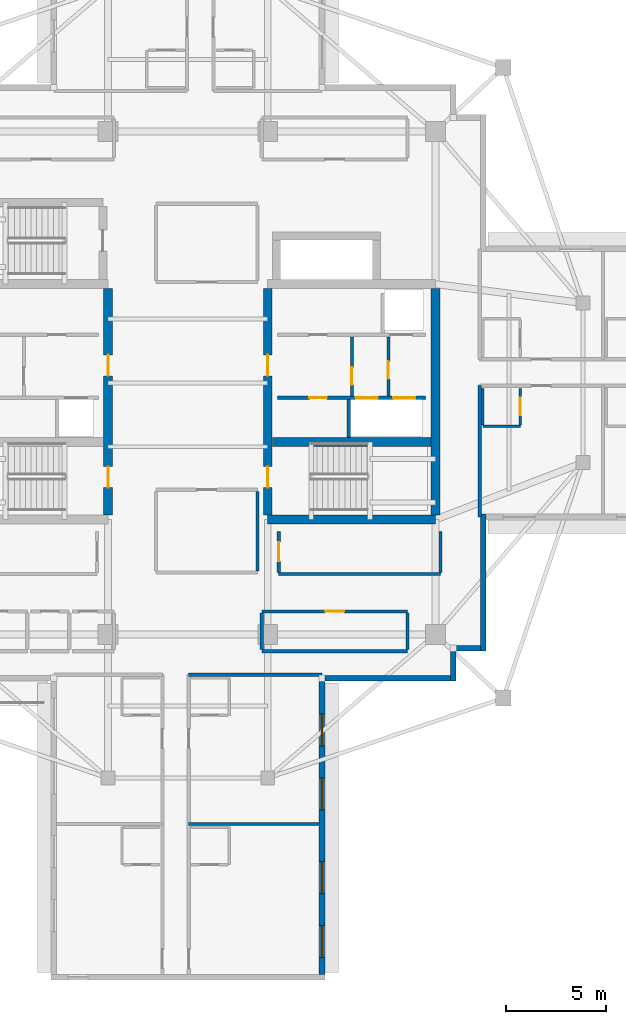
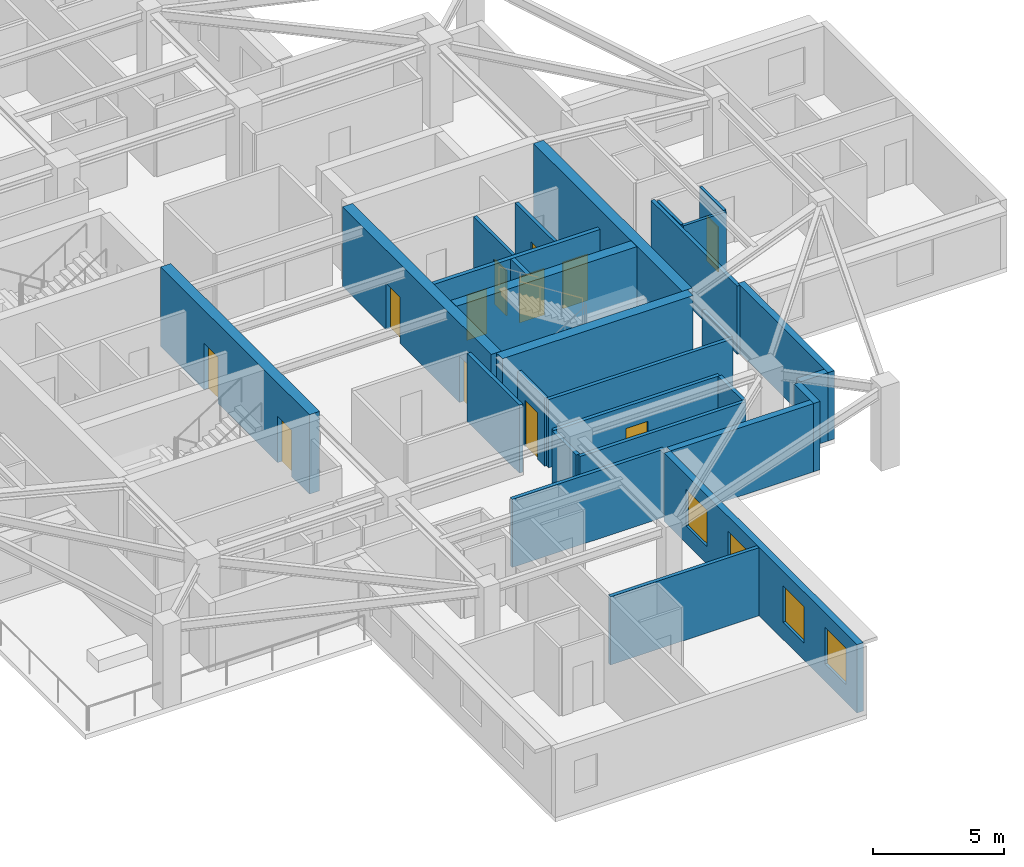
# One storey, part 5 of 12: 28 walls, 12 doors, 4 windows, 16 openings.
"""IFC4 building model written with IfcOpenShell, lengths in metres."""

from ifc_helpers import new_model, si_unit, direction, frame, frame_2d, origin, place, context, subcontext, project, spatial, rectangle, extrude, material, layer, layer_set, type_object, element, fill, save


model = new_model("IFC4")

# Units and contexts
model_context = context("Model", 3, precision=1e-05, world=origin(), true_north=direction((0.0, 1.0)))
body_context = subcontext(model_context, "Body", "Model", "MODEL_VIEW")
ifc_project = project(units=[si_unit("LENGTHUNIT", "METRE"), si_unit("AREAUNIT", "SQUARE_METRE"), si_unit("VOLUMEUNIT", "CUBIC_METRE"), si_unit("PLANEANGLEUNIT", "RADIAN"), si_unit("MASSUNIT", "GRAM", prefix="KILO")], contexts=[model_context])

# Site, building, storey
site_placement = place(None, origin())
site = spatial("IfcSite", under=ifc_project, at=site_placement, CompositionType="ELEMENT")
building_placement = place(site_placement, origin())
building = spatial("IfcBuilding", under=site, at=building_placement, Name="Qingluan Cross Belvedere", CompositionType="ELEMENT")
storey_placement = place(building_placement, frame((0.0, 0.0, 265.5)))
storey = spatial("IfcBuildingStorey", under=building, at=storey_placement, Name="L66", CompositionType="ELEMENT", Elevation=265.5)

# Wall, openings, doors
ifc_material_1 = material(Name="Concrete C50", Category="concrete")
ifc_layer_1 = layer(ifc_material_1, 0.449951171875, Name="CoreShearWall_450")
ifc_layer_set_1 = layer_set([ifc_layer_1], Name="Concrete C50")
wall_type_1 = type_object("IfcWallType", Name="CoreShearWall_450", PredefinedType="SHEAR", material=ifc_layer_set_1)
wall_1_placement = place(storey_placement, frame((-4.0, -6.6201171875, 0.0), z_axis=(0.0, 0.0, 1.0), x_axis=(0.0, 1.0, 0.0)))
wall_1 = element("IfcWall", 1, at=wall_1_placement, inside=storey, type_object=wall_type_1, Name="Split core W shear wall L66-E", PredefinedType="SHEAR", context=body_context, shape_type="SweptSolid", body=[
    extrude(rectangle(XDim=11.340087890625, YDim=0.449951171875, at=frame_2d((5.669921875, 0.0))), origin(), (0.0, 0.0, 1.0), 3.699951171875),
])
opening_1_placement = place(wall_1_placement, frame((1.3701171875, 0.0, 0.0)))
opening_1 = element("IfcOpeningElement", 2, at=opening_1_placement, cuts=wall_1, Name="Opening FD-B11", PredefinedType="OPENING", context=body_context, shape_type="SweptSolid", body=[
    extrude(rectangle(XDim=1.050048828125, YDim=2.14990234375, at=frame_2d((0.52490234375, 1.074951171875))), frame((0.0, 0.23486328125, 0.0), z_axis=(0.0, -1.0, 0.0), x_axis=(1.0, 0.0, 0.0)), (0.0, 0.0, 1.0), 0.469970703125),
])
opening_2_placement = place(wall_1_placement, frame((6.969970703125, 0.0, 0.0)))
opening_2 = element("IfcOpeningElement", 3, at=opening_2_placement, cuts=wall_1, Name="Opening FD-B11", PredefinedType="OPENING", context=body_context, shape_type="SweptSolid", body=[
    extrude(rectangle(XDim=1.050048828125, YDim=2.14990234375, at=frame_2d((0.52490234375, 1.074951171875))), frame((0.0, 0.23486328125, 0.0), z_axis=(0.0, -1.0, 0.0), x_axis=(1.0, 0.0, 0.0)), (0.0, 0.0, 1.0), 0.469970703125),
])
ifc_material_2 = material(Name="Steel Class B smoke-seal fire door", Category="steel")
door_type_1 = type_object("IfcDoorType", Name="StairLobbyFireDoor_FDB", OperationType="NOTDEFINED", PredefinedType="DOOR", material=ifc_material_2)
door_1_placement = place(opening_1_placement, origin())
door_1 = element("IfcDoor", 4, at=door_1_placement, inside=storey, type_object=door_type_1, Name="Smoke-proof stair ST1 fire door L66", OperationType="SINGLE_SWING_RIGHT", OverallHeight=2.14990234375, OverallWidth=1.050048828125, PredefinedType="DOOR", context=body_context, shape_type="SweptSolid", body=[
    extrude(rectangle(XDim=1.050048828125, YDim=2.14990234375, at=frame_2d((0.52490234375, 1.074951171875))), frame((0.0, 0.02490234375, 0.0), z_axis=(0.0, -1.0, 0.0), x_axis=(1.0, 0.0, 0.0)), (0.0, 0.0, 1.0), 0.050048828125),
])
fill(opening_1, door_1)
door_2_placement = place(opening_2_placement, origin())
door_2 = element("IfcDoor", 5, at=door_2_placement, inside=storey, type_object=door_type_1, Name="Firefighting lobby West fire door L66", OperationType="SINGLE_SWING_RIGHT", OverallHeight=2.14990234375, OverallWidth=1.050048828125, PredefinedType="DOOR", context=body_context, shape_type="SweptSolid", body=[
    extrude(rectangle(XDim=1.050048828125, YDim=2.14990234375, at=frame_2d((0.52490234375, 1.074951171875))), frame((0.0, 0.02490234375, 0.0), z_axis=(0.0, -1.0, 0.0), x_axis=(1.0, 0.0, 0.0)), (0.0, 0.0, 1.0), 0.050048828125),
])
fill(opening_2, door_2)

# Wall
wall_2_placement = place(storey_placement, frame((4.0, -6.85009765625, 0.0), z_axis=(0.0, 0.0, 1.0), x_axis=(1.0, 0.0, 0.0)))
element("IfcWall", 6, at=wall_2_placement, inside=storey, type_object=wall_type_1, Name="Split core E shear wall L66-S", PredefinedType="SHEAR", context=body_context, shape_type="SweptSolid", body=[
    extrude(rectangle(XDim=8.39990234375, YDim=0.449951171875, at=frame_2d((4.199951171875, 0.0))), origin(), (0.0, 0.0, 1.0), 3.699951171875),
])

# Wall, openings, doors
wall_3_placement = place(storey_placement, frame((4.0, -6.6201171875, 0.0), z_axis=(0.0, 0.0, 1.0), x_axis=(0.0, 1.0, 0.0)))
wall_3 = element("IfcWall", 7, at=wall_3_placement, inside=storey, type_object=wall_type_1, Name="Split core E shear wall L66-W", PredefinedType="SHEAR", context=body_context, shape_type="SweptSolid", body=[
    extrude(rectangle(XDim=11.340087890625, YDim=0.449951171875, at=frame_2d((5.669921875, 0.0))), origin(), (0.0, 0.0, 1.0), 3.699951171875),
])
opening_3_placement = place(wall_3_placement, frame((1.3701171875, 0.0, 0.0)))
opening_3 = element("IfcOpeningElement", 8, at=opening_3_placement, cuts=wall_3, Name="Opening FD-B11", PredefinedType="OPENING", context=body_context, shape_type="SweptSolid", body=[
    extrude(rectangle(XDim=1.050048828125, YDim=2.14990234375, at=frame_2d((0.52490234375, 1.074951171875))), frame((0.0, 0.23486328125, 0.0), z_axis=(0.0, -1.0, 0.0), x_axis=(1.0, 0.0, 0.0)), (0.0, 0.0, 1.0), 0.469970703125),
])
opening_4_placement = place(wall_3_placement, frame((6.969970703125, 0.0, 0.0)))
opening_4 = element("IfcOpeningElement", 9, at=opening_4_placement, cuts=wall_3, Name="Opening FD-B11", PredefinedType="OPENING", context=body_context, shape_type="SweptSolid", body=[
    extrude(rectangle(XDim=1.050048828125, YDim=2.14990234375, at=frame_2d((0.52490234375, 1.074951171875))), frame((0.0, 0.23486328125, 0.0), z_axis=(0.0, -1.0, 0.0), x_axis=(1.0, 0.0, 0.0)), (0.0, 0.0, 1.0), 0.469970703125),
])
door_3_placement = place(opening_3_placement, origin())
door_3 = element("IfcDoor", 10, at=door_3_placement, inside=storey, type_object=door_type_1, Name="Smoke-proof stair ST2 fire door L66", OperationType="SINGLE_SWING_LEFT", OverallHeight=2.14990234375, OverallWidth=1.050048828125, PredefinedType="DOOR", context=body_context, shape_type="SweptSolid", body=[
    extrude(rectangle(XDim=1.050048828125, YDim=2.14990234375, at=frame_2d((0.52490234375, 1.074951171875))), frame((0.0, 0.02490234375, 0.0), z_axis=(0.0, -1.0, 0.0), x_axis=(1.0, 0.0, 0.0)), (0.0, 0.0, 1.0), 0.050048828125),
])
fill(opening_3, door_3)
door_4_placement = place(opening_4_placement, origin())
door_4 = element("IfcDoor", 11, at=door_4_placement, inside=storey, type_object=door_type_1, Name="Firefighting lobby East fire door L66", OperationType="SINGLE_SWING_LEFT", OverallHeight=2.14990234375, OverallWidth=1.050048828125, PredefinedType="DOOR", context=body_context, shape_type="SweptSolid", body=[
    extrude(rectangle(XDim=1.050048828125, YDim=2.14990234375, at=frame_2d((0.52490234375, 1.074951171875))), frame((0.0, 0.02490234375, 0.0), z_axis=(0.0, -1.0, 0.0), x_axis=(1.0, 0.0, 0.0)), (0.0, 0.0, 1.0), 0.050048828125),
])
fill(opening_4, door_4)

# Walls
wall_4_placement = place(storey_placement, frame((12.39990234375, -6.6201171875, 0.0), z_axis=(0.0, 0.0, 1.0), x_axis=(0.0, 1.0, 0.0)))
element("IfcWall", 12, at=wall_4_placement, inside=storey, type_object=wall_type_1, Name="Split core E shear wall L66-E", PredefinedType="SHEAR", context=body_context, shape_type="SweptSolid", body=[
    extrude(rectangle(XDim=11.340087890625, YDim=0.449951171875, at=frame_2d((5.669921875, 0.0))), origin(), (0.0, 0.0, 1.0), 3.699951171875),
])
wall_5_placement = place(storey_placement, frame((4.22998046875, -2.9599609375, 0.0), z_axis=(0.0, 0.0, 1.0), x_axis=(1.0, 0.0, 0.0)))
element("IfcWall", 13, at=wall_5_placement, inside=storey, type_object=wall_type_1, Name="Split core E shear wall L66-M", PredefinedType="SHEAR", context=body_context, shape_type="SweptSolid", body=[
    extrude(rectangle(XDim=7.93994140625, YDim=0.449951171875, at=frame_2d((3.969970703125, 0.0))), origin(), (0.0, 0.0, 1.0), 3.699951171875),
])

# Wall, opening, door
ifc_material_3 = material(Name="Gypsum plasterboard on steel stud acoustic partition", Category="steel")
ifc_layer_2 = layer(ifc_material_3, 0.159912109375, Name="CorridorPartition_160")
ifc_layer_set_2 = layer_set([ifc_layer_2], Name="Gypsum plasterboard on steel stud acoustic partition")
wall_type_2 = type_object("IfcWallType", Name="CorridorPartition_160", PredefinedType="PARTITIONING", material=ifc_layer_set_2)
wall_6_placement = place(storey_placement, frame((10.050048828125, -0.652099609375, 0.0), z_axis=(0.0, 0.0, 1.0), x_axis=(0.0, 1.0, 0.0)))
wall_6 = element("IfcWall", 14, at=wall_6_placement, inside=storey, type_object=wall_type_2, Name="Partition L66:ev", PredefinedType="PARTITIONING", context=body_context, shape_type="SweptSolid", body=[
    extrude(rectangle(XDim=2.962158203125, YDim=0.139892578125, at=frame_2d((1.48095703125, 0.0))), origin(), (0.0, 0.0, 1.0), 3.169921875),
])
opening_5_placement = place(wall_6_placement, frame((0.85009765625, 0.0, 0.0)))
opening_5 = element("IfcOpeningElement", 15, at=opening_5_placement, cuts=wall_6, Name="Opening FD-B10", PredefinedType="OPENING", context=body_context, shape_type="SweptSolid", body=[
    extrude(rectangle(XDim=0.8798828125, YDim=2.10009765625, at=frame_2d((0.43994140625, 1.050048828125))), frame((0.0, 0.079833984375, 0.0), z_axis=(0.0, -1.0, 0.0), x_axis=(1.0, 0.0, 0.0)), (0.0, 0.0, 1.0), 0.159912109375),
])
ifc_material_4 = material(Name="Steel Class B service fire door", Category="steel")
door_type_2 = type_object("IfcDoorType", Name="RiserServiceFireDoor_FDB", OperationType="NOTDEFINED", PredefinedType="DOOR", material=ifc_material_4)
door_5_placement = place(opening_5_placement, origin())
door_5 = element("IfcDoor", 16, at=door_5_placement, inside=storey, type_object=door_type_2, Name="Service closet inner door L66", OperationType="SINGLE_SWING_RIGHT", OverallHeight=2.10009765625, OverallWidth=0.8798828125, PredefinedType="DOOR", context=body_context, shape_type="SweptSolid", body=[
    extrude(rectangle(XDim=0.8798828125, YDim=2.10009765625, at=frame_2d((0.43994140625, 1.050048828125))), frame((0.0, 0.02490234375, 0.0), z_axis=(0.0, -1.0, 0.0), x_axis=(1.0, 0.0, 0.0)), (0.0, 0.0, 1.0), 0.050048828125),
])
fill(opening_5, door_5)

# Wall
wall_7_placement = place(storey_placement, frame((3.699951171875, -13.449951171875, 0.0), z_axis=(0.0, 0.0, 1.0), x_axis=(1.0, 0.0, 0.0)))
element("IfcWall", 17, at=wall_7_placement, inside=storey, type_object=wall_type_2, Name="Partition L66:q_se:S", PredefinedType="PARTITIONING", context=body_context, shape_type="SweptSolid", body=[
    extrude(rectangle(XDim=7.300048828125, YDim=0.159912109375, at=frame_2d((3.64990234375, 0.0))), origin(), (0.0, 0.0, 1.0), 3.169921875),
])

# Wall, opening, door
wall_8_placement = place(storey_placement, frame((3.699951171875, -11.449951171875, 0.0), z_axis=(0.0, 0.0, 1.0), x_axis=(1.0, 0.0, 0.0)))
wall_8 = element("IfcWall", 18, at=wall_8_placement, inside=storey, type_object=wall_type_2, Name="Partition L66:q_se:N", PredefinedType="PARTITIONING", context=body_context, shape_type="SweptSolid", body=[
    extrude(rectangle(XDim=7.300048828125, YDim=0.159912109375, at=frame_2d((3.64990234375, 0.0))), origin(), (0.0, 0.0, 1.0), 3.169921875),
])
opening_6_placement = place(wall_8_placement, frame((3.169921875, 0.0, 0.0)))
opening_6 = element("IfcOpeningElement", 19, at=opening_6_placement, cuts=wall_8, Name="Opening GD-10", PredefinedType="OPENING", context=body_context, shape_type="SweptSolid", body=[
    extrude(rectangle(XDim=0.9599609375, YDim=2.14990234375, at=frame_2d((0.47998046875, 1.074951171875))), frame((0.0, 0.08984375, 0.0), z_axis=(0.0, -1.0, 0.0), x_axis=(1.0, 0.0, 0.0)), (0.0, 0.0, 1.0), 0.179931640625),
])
ifc_material_5 = material(Name="Timber oak fire-rated acoustic guestroom door", Category="wood")
door_type_3 = type_object("IfcDoorType", Name="GuestEntryDoor_FD60", OperationType="NOTDEFINED", PredefinedType="DOOR", material=ifc_material_5)
door_6_placement = place(opening_6_placement, origin())
door_6 = element("IfcDoor", 20, at=door_6_placement, inside=storey, type_object=door_type_3, Name="Artisan pantry L66 door", OperationType="SINGLE_SWING_RIGHT", OverallHeight=2.14990234375, OverallWidth=0.9599609375, PredefinedType="DOOR", context=body_context, shape_type="SweptSolid", body=[
    extrude(rectangle(XDim=0.9599609375, YDim=2.14990234375, at=frame_2d((0.47998046875, 1.074951171875))), frame((0.0, 0.02490234375, 0.0), z_axis=(0.0, -1.0, 0.0), x_axis=(1.0, 0.0, 0.0)), (0.0, 0.0, 1.0), 0.050048828125),
])
fill(opening_6, door_6)

# Walls
for number, where, z_axis, x_axis, name in (
    (21, (3.699951171875, -13.364990234375, 0.0), (0.0, 0.0, 1.0), (0.0, 1.0, 0.0), "Partition L66:q_se:W"),
    (22, (11.0, -13.364990234375, 0.0), (0.0, 0.0, 1.0), (0.0, 1.0, 0.0), "Partition L66:q_se:E"),
):
    element("IfcWall", number, at=place(storey_placement, frame(where, z_axis=z_axis, x_axis=x_axis)), inside=storey, type_object=wall_type_2, Name=name, PredefinedType="PARTITIONING", context=body_context, shape_type="SweptSolid", body=[
        extrude(rectangle(XDim=1.830078125, YDim=0.159912109375, at=frame_2d((0.9150390625, 0.0))), origin(), (0.0, 0.0, 1.0), 3.169921875),
    ])
wall_9_placement = place(storey_placement, frame((3.47998046875, -9.4150390625, 0.0), z_axis=(0.0, 0.0, 1.0), x_axis=(0.0, 1.0, 0.0)))
element("IfcWall", 23, at=wall_9_placement, inside=storey, type_object=wall_type_2, Name="Partition L66:sky_south_alcove:E", PredefinedType="PARTITIONING", context=body_context, shape_type="SweptSolid", body=[
    extrude(rectangle(XDim=3.97998046875, YDim=0.159912109375, at=frame_2d((1.989990234375, 0.0))), origin(), (0.0, 0.0, 1.0), 3.169921875),
])
wall_10_placement = place(storey_placement, frame((4.550048828125, -9.580078125, 0.0), z_axis=(0.0, 0.0, 1.0), x_axis=(1.0, 0.0, 0.0)))
element("IfcWall", 24, at=wall_10_placement, inside=storey, type_object=wall_type_2, Name="Partition L66:rec_st4:S", PredefinedType="PARTITIONING", context=body_context, shape_type="SweptSolid", body=[
    extrude(rectangle(XDim=8.099853515625, YDim=0.159912109375, at=frame_2d((4.0498046875, 0.0))), origin(), (0.0, 0.0, 1.0), 3.169921875),
])

# Wall, opening, door
wall_11_placement = place(storey_placement, frame((4.550048828125, -9.4951171875, 0.0), z_axis=(0.0, 0.0, 1.0), x_axis=(0.0, 1.0, 0.0)))
wall_11 = element("IfcWall", 25, at=wall_11_placement, inside=storey, type_object=wall_type_2, Name="Partition L66:rec_st4:W", PredefinedType="PARTITIONING", context=body_context, shape_type="SweptSolid", body=[
    extrude(rectangle(XDim=2.06005859375, YDim=0.159912109375, at=frame_2d((1.030029296875, 0.0))), origin(), (0.0, 0.0, 1.0), 3.169921875),
])
opening_7_placement = place(wall_11_placement, frame((0.550048828125, 0.0, 0.0)))
opening_7 = element("IfcOpeningElement", 26, at=opening_7_placement, cuts=wall_11, Name="Opening GD-10", PredefinedType="OPENING", context=body_context, shape_type="SweptSolid", body=[
    extrude(rectangle(XDim=0.9599609375, YDim=2.14990234375, at=frame_2d((0.47998046875, 1.074951171875))), frame((0.0, 0.08984375, 0.0), z_axis=(0.0, -1.0, 0.0), x_axis=(1.0, 0.0, 0.0)), (0.0, 0.0, 1.0), 0.179931640625),
])
door_7_placement = place(opening_7_placement, origin())
door_7 = element("IfcDoor", 27, at=door_7_placement, inside=storey, type_object=door_type_3, Name="Southeast club library room L66 door", OperationType="SINGLE_SWING_RIGHT", OverallHeight=2.14990234375, OverallWidth=0.9599609375, PredefinedType="DOOR", context=body_context, shape_type="SweptSolid", body=[
    extrude(rectangle(XDim=0.9599609375, YDim=2.14990234375, at=frame_2d((0.47998046875, 1.074951171875))), frame((0.0, 0.02490234375, 0.0), z_axis=(0.0, -1.0, 0.0), x_axis=(1.0, 0.0, 0.0)), (0.0, 0.0, 1.0), 0.050048828125),
])
fill(opening_7, door_7)

# Walls
wall_12_placement = place(storey_placement, frame((12.64990234375, -9.4951171875, 0.0), z_axis=(0.0, 0.0, 1.0), x_axis=(0.0, 1.0, 0.0)))
element("IfcWall", 28, at=wall_12_placement, inside=storey, type_object=wall_type_2, Name="Partition L66:rec_st4:E", PredefinedType="PARTITIONING", context=body_context, shape_type="SweptSolid", body=[
    extrude(rectangle(XDim=2.06005859375, YDim=0.159912109375, at=frame_2d((1.030029296875, 0.0))), origin(), (0.0, 0.0, 1.0), 3.169921875),
])
wall_13_placement = place(storey_placement, frame((14.6201171875, -0.139892578125, 0.0), z_axis=(0.0, 0.0, 1.0), x_axis=(0.0, -1.0, 0.0)))
element("IfcWall", 29, at=wall_13_placement, inside=storey, type_object=wall_type_2, Name="Partition L66:E:s1", PredefinedType="PARTITIONING", context=body_context, shape_type="SweptSolid", body=[
    extrude(rectangle(XDim=6.580078125, YDim=0.159912109375, at=frame_2d((3.2900390625, 0.0))), origin(), (0.0, 0.0, 1.0), 3.169921875),
])
wall_14_placement = place(storey_placement, frame((0.0400390625, -14.6201171875, 0.0), z_axis=(0.0, 0.0, 1.0), x_axis=(1.0, 0.0, 0.0)))
element("IfcWall", 30, at=wall_14_placement, inside=storey, type_object=wall_type_2, Name="Partition L66:S:s0", PredefinedType="PARTITIONING", context=body_context, shape_type="SweptSolid", body=[
    extrude(rectangle(XDim=6.679931640625, YDim=0.159912109375, at=frame_2d((3.33984375, 0.0))), origin(), (0.0, 0.0, 1.0), 3.169921875),
])
wall_15_placement = place(storey_placement, frame((0.0400390625, -22.096923828125, 0.0), z_axis=(0.0, 0.0, 1.0), x_axis=(1.0, 0.0, 0.0)))
element("IfcWall", 31, at=wall_15_placement, inside=storey, type_object=wall_type_2, Name="Partition L66:S:d0_0", PredefinedType="PARTITIONING", context=body_context, shape_type="SweptSolid", body=[
    extrude(rectangle(XDim=6.531982421875, YDim=0.159912109375, at=frame_2d((3.26611328125, 0.0))), origin(), (0.0, 0.0, 1.0), 3.169921875),
])

# Wall, opening, door
ifc_material_6 = material(Name="Moisture-resistant gypsum board lining")
ifc_layer_3 = layer(ifc_material_6, 0.1201171875, Name="EnsuiteWetPartition_120")
ifc_layer_set_3 = layer_set([ifc_layer_3], Name="Moisture-resistant gypsum board lining")
wall_type_3 = type_object("IfcWallType", Name="EnsuiteWetPartition_120", PredefinedType="PARTITIONING", material=ifc_layer_set_3)
wall_16_placement = place(storey_placement, frame((16.659912109375, -2.10009765625, 0.0), z_axis=(0.0, 0.0, 1.0), x_axis=(0.0, 1.0, 0.0)))
wall_16 = element("IfcWall", 32, at=wall_16_placement, inside=storey, type_object=wall_type_3, Name="Partition L66:E:bs1_0", PredefinedType="PARTITIONING", context=body_context, shape_type="SweptSolid", body=[
    extrude(rectangle(XDim=1.820068359375, YDim=0.1201171875, at=frame_2d((0.91015625, 0.0))), origin(), (0.0, 0.0, 1.0), 3.169921875),
])
opening_8_placement = place(wall_16_placement, frame((0.469970703125, 0.0, 0.0)))
opening_8 = element("IfcOpeningElement", 33, at=opening_8_placement, cuts=wall_16, Name="Opening BD-09", PredefinedType="OPENING", context=body_context, shape_type="SweptSolid", body=[
    extrude(rectangle(XDim=0.8798828125, YDim=2.10009765625, at=frame_2d((0.43994140625, 1.050048828125))), frame((0.0, 0.070068359375, 0.0), z_axis=(0.0, -1.0, 0.0), x_axis=(1.0, 0.0, 0.0)), (0.0, 0.0, 1.0), 0.14013671875),
])
ifc_material_7 = material(Name="Moisture-sealed timber en-suite door", Category="wood")
door_type_4 = type_object("IfcDoorType", Name="BathroomDoor_880", OperationType="NOTDEFINED", PredefinedType="DOOR", material=ifc_material_7)
door_8_placement = place(opening_8_placement, origin())
door_8 = element("IfcDoor", 34, at=door_8_placement, inside=storey, type_object=door_type_4, Name="Bathroom door 6603", OperationType="SINGLE_SWING_LEFT", OverallHeight=2.10009765625, OverallWidth=0.8798828125, PredefinedType="DOOR", context=body_context, shape_type="SweptSolid", body=[
    extrude(rectangle(XDim=0.8798828125, YDim=2.10009765625, at=frame_2d((0.43994140625, 1.050048828125))), frame((0.0, 0.02490234375, 0.0), z_axis=(0.0, -1.0, 0.0), x_axis=(1.0, 0.0, 0.0)), (0.0, 0.0, 1.0), 0.050048828125),
])
fill(opening_8, door_8)

# Walls
wall_17_placement = place(storey_placement, frame((14.780029296875, -2.10009765625, 0.0), z_axis=(0.0, 0.0, 1.0), x_axis=(0.0, 1.0, 0.0)))
element("IfcWall", 35, at=wall_17_placement, inside=storey, type_object=wall_type_3, Name="Partition L66:E:bw1_0", PredefinedType="PARTITIONING", context=body_context, shape_type="SweptSolid", body=[
    extrude(rectangle(XDim=1.820068359375, YDim=0.1201171875, at=frame_2d((0.91015625, 0.0))), origin(), (0.0, 0.0, 1.0), 3.169921875),
])
wall_18_placement = place(storey_placement, frame((14.780029296875, -2.1650390625, 0.0), z_axis=(0.0, 0.0, 1.0), x_axis=(1.0, 0.0, 0.0)))
element("IfcWall", 36, at=wall_18_placement, inside=storey, type_object=wall_type_3, Name="Partition L66:E:bc1_0", PredefinedType="PARTITIONING", context=body_context, shape_type="SweptSolid", body=[
    extrude(rectangle(XDim=1.8798828125, YDim=0.1201171875, at=frame_2d((0.93994140625, 0.0))), origin(), (0.0, 0.0, 1.0), 3.169921875),
])

# Wall, openings, windows
ifc_material_8 = material(Name="Precast concrete C45", Category="concrete")
ifc_layer_4 = layer(ifc_material_8, 0.280029296875, Name="PrecastFacadeWall_280")
ifc_layer_set_4 = layer_set([ifc_layer_4], Name="Precast concrete C45")
wall_type_4 = type_object("IfcWallType", Name="PrecastFacadeWall_280", PredefinedType="STANDARD", material=ifc_layer_set_4)
wall_19_placement = place(storey_placement, frame((6.719970703125, -29.639892578125, 0.0), z_axis=(0.0, 0.0, 1.0), x_axis=(0.0, 1.0, 0.0)))
wall_19 = element("IfcWall", 37, at=wall_19_placement, inside=storey, type_object=wall_type_4, Name="Facade wall L66-SB", PredefinedType="STANDARD", context=body_context, shape_type="SweptSolid", body=[
    extrude(rectangle(XDim=14.699951171875, YDim=0.280029296875, at=frame_2d((7.35009765625, 0.0))), origin(), (0.0, 0.0, 1.0), 3.179931640625),
])
opening_9_placement = place(wall_19_placement, frame((0.85009765625, 0.0, 0.800048828125)))
opening_9 = element("IfcOpeningElement", 38, at=opening_9_placement, cuts=wall_19, Name="Opening W-04", PredefinedType="OPENING", context=body_context, shape_type="SweptSolid", body=[
    extrude(rectangle(XDim=1.60009765625, YDim=1.699951171875, at=frame_2d((0.800048828125, 0.85009765625))), frame((0.0, 0.14990234375, 0.0), z_axis=(0.0, -1.0, 0.0), x_axis=(1.0, 0.0, 0.0)), (0.0, 0.0, 1.0), 0.300048828125),
])
opening_10_placement = place(wall_19_placement, frame((4.050048828125, 0.0, 0.800048828125)))
opening_10 = element("IfcOpeningElement", 39, at=opening_10_placement, cuts=wall_19, Name="Opening W-04", PredefinedType="OPENING", context=body_context, shape_type="SweptSolid", body=[
    extrude(rectangle(XDim=1.60009765625, YDim=1.699951171875, at=frame_2d((0.800048828125, 0.85009765625))), frame((0.0, 0.14990234375, 0.0), z_axis=(0.0, -1.0, 0.0), x_axis=(1.0, 0.0, 0.0)), (0.0, 0.0, 1.0), 0.300048828125),
])
opening_11_placement = place(wall_19_placement, frame((8.25, 0.0, 0.800048828125)))
opening_11 = element("IfcOpeningElement", 40, at=opening_11_placement, cuts=wall_19, Name="Opening W-04", PredefinedType="OPENING", context=body_context, shape_type="SweptSolid", body=[
    extrude(rectangle(XDim=1.60009765625, YDim=1.699951171875, at=frame_2d((0.800048828125, 0.85009765625))), frame((0.0, 0.14990234375, 0.0), z_axis=(0.0, -1.0, 0.0), x_axis=(1.0, 0.0, 0.0)), (0.0, 0.0, 1.0), 0.300048828125),
])
opening_12_placement = place(wall_19_placement, frame((11.449951171875, 0.0, 0.800048828125)))
opening_12 = element("IfcOpeningElement", 41, at=opening_12_placement, cuts=wall_19, Name="Opening W-04", PredefinedType="OPENING", context=body_context, shape_type="SweptSolid", body=[
    extrude(rectangle(XDim=1.60009765625, YDim=1.699951171875, at=frame_2d((0.800048828125, 0.85009765625))), frame((0.0, 0.14990234375, 0.0), z_axis=(0.0, -1.0, 0.0), x_axis=(1.0, 0.0, 0.0)), (0.0, 0.0, 1.0), 0.300048828125),
])
ifc_material_9 = material(Name="Thermally broken triple Low-E glass in aluminium frame", Category="aluminium")
window_type = type_object("IfcWindowType", Name="SuiteCornerWin_1600x1700", PartitioningType="SINGLE_PANEL", PredefinedType="WINDOW", material=ifc_material_9)
window_1_placement = place(opening_9_placement, origin())
window_1 = element("IfcWindow", 42, at=window_1_placement, inside=storey, type_object=window_type, Name="Ribbon window L66-SB-1", OverallHeight=1.699951171875, OverallWidth=1.60009765625, PartitioningType="SINGLE_PANEL", PredefinedType="WINDOW", context=body_context, shape_type="SweptSolid", body=[
    extrude(rectangle(XDim=1.60009765625, YDim=1.699951171875, at=frame_2d((0.800048828125, 0.85009765625))), frame((0.0, 0.030029296875, 0.0), z_axis=(0.0, -1.0, 0.0), x_axis=(1.0, 0.0, 0.0)), (0.0, 0.0, 1.0), 0.06005859375),
])
fill(opening_9, window_1)
window_2_placement = place(opening_10_placement, origin())
window_2 = element("IfcWindow", 43, at=window_2_placement, inside=storey, type_object=window_type, Name="Ribbon window L66-SB-2", OverallHeight=1.699951171875, OverallWidth=1.60009765625, PartitioningType="SINGLE_PANEL", PredefinedType="WINDOW", context=body_context, shape_type="SweptSolid", body=[
    extrude(rectangle(XDim=1.60009765625, YDim=1.699951171875, at=frame_2d((0.800048828125, 0.85009765625))), frame((0.0, 0.030029296875, 0.0), z_axis=(0.0, -1.0, 0.0), x_axis=(1.0, 0.0, 0.0)), (0.0, 0.0, 1.0), 0.06005859375),
])
fill(opening_10, window_2)
window_3_placement = place(opening_11_placement, origin())
window_3 = element("IfcWindow", 44, at=window_3_placement, inside=storey, type_object=window_type, Name="Ribbon window L66-SB-3", OverallHeight=1.699951171875, OverallWidth=1.60009765625, PartitioningType="SINGLE_PANEL", PredefinedType="WINDOW", context=body_context, shape_type="SweptSolid", body=[
    extrude(rectangle(XDim=1.60009765625, YDim=1.699951171875, at=frame_2d((0.800048828125, 0.85009765625))), frame((0.0, 0.030029296875, 0.0), z_axis=(0.0, -1.0, 0.0), x_axis=(1.0, 0.0, 0.0)), (0.0, 0.0, 1.0), 0.06005859375),
])
fill(opening_11, window_3)
window_4_placement = place(opening_12_placement, origin())
window_4 = element("IfcWindow", 45, at=window_4_placement, inside=storey, type_object=window_type, Name="Ribbon window L66-SB-4", OverallHeight=1.699951171875, OverallWidth=1.60009765625, PartitioningType="SINGLE_PANEL", PredefinedType="WINDOW", context=body_context, shape_type="SweptSolid", body=[
    extrude(rectangle(XDim=1.60009765625, YDim=1.699951171875, at=frame_2d((0.800048828125, 0.85009765625))), frame((0.0, 0.030029296875, 0.0), z_axis=(0.0, -1.0, 0.0), x_axis=(1.0, 0.0, 0.0)), (0.0, 0.0, 1.0), 0.06005859375),
])
fill(opening_12, window_4)

# Walls
wall_20_placement = place(storey_placement, frame((14.800048828125, -6.580078125, 0.0), z_axis=(0.0, 0.0, 1.0), x_axis=(0.0, -1.0, 0.0)))
element("IfcWall", 46, at=wall_20_placement, inside=storey, type_object=wall_type_4, Name="Corner wall L66-SE1", PredefinedType="STANDARD", context=body_context, shape_type="SweptSolid", body=[
    extrude(rectangle(XDim=6.85986328125, YDim=0.280029296875, at=frame_2d((3.429931640625, 0.0))), origin(), (0.0, 0.0, 1.0), 3.179931640625),
])
wall_21_placement = place(storey_placement, frame((14.659912109375, -13.300048828125, 0.0), z_axis=(0.0, 0.0, 1.0), x_axis=(-1.0, 0.0, 0.0)))
element("IfcWall", 47, at=wall_21_placement, inside=storey, type_object=wall_type_4, Name="Corner wall L66-SE2", PredefinedType="STANDARD", context=body_context, shape_type="SweptSolid", body=[
    extrude(rectangle(XDim=1.219970703125, YDim=0.280029296875, at=frame_2d((0.60986328125, 0.0))), origin(), (0.0, 0.0, 1.0), 3.179931640625),
])
wall_22_placement = place(storey_placement, frame((13.300048828125, -13.43994140625, 0.0), z_axis=(0.0, 0.0, 1.0), x_axis=(0.0, -1.0, 0.0)))
element("IfcWall", 48, at=wall_22_placement, inside=storey, type_object=wall_type_4, Name="Corner wall L66-SE3", PredefinedType="STANDARD", context=body_context, shape_type="SweptSolid", body=[
    extrude(rectangle(XDim=1.5, YDim=0.280029296875, at=frame_2d((0.75, 0.0))), origin(), (0.0, 0.0, 1.0), 3.179931640625),
])
wall_23_placement = place(storey_placement, frame((13.159912109375, -14.800048828125, 0.0), z_axis=(0.0, 0.0, 1.0), x_axis=(-1.0, 0.0, 0.0)))
element("IfcWall", 49, at=wall_23_placement, inside=storey, type_object=wall_type_4, Name="Corner wall L66-SE4", PredefinedType="STANDARD", context=body_context, shape_type="SweptSolid", body=[
    extrude(rectangle(XDim=6.2998046875, YDim=0.280029296875, at=frame_2d((3.14990234375, 0.0))), origin(), (0.0, 0.0, 1.0), 3.179931640625),
])

# Wall, openings, doors
ifc_material_10 = material(Name="Concrete C40", Category="concrete")
ifc_layer_5 = layer(ifc_material_10, 0.219970703125, Name="ShaftEnclosureWall_250")
ifc_layer_set_5 = layer_set([ifc_layer_5], Name="Concrete C40")
wall_type_5 = type_object("IfcWallType", Name="ShaftEnclosureWall_250", PredefinedType="SOLIDWALL", material=ifc_layer_set_5)
wall_24_placement = place(storey_placement, frame((4.47998046875, -0.75, 0.0), z_axis=(0.0, 0.0, 1.0), x_axis=(1.0, 0.0, 0.0)))
wall_24 = element("IfcWall", 50, at=wall_24_placement, inside=storey, type_object=wall_type_5, Name="Core-E mid hoistway wall L66", PredefinedType="SOLIDWALL", context=body_context, shape_type="SweptSolid", body=[
    extrude(rectangle(XDim=7.419921875, YDim=0.179931640625, at=frame_2d((3.7099609375, 0.0))), origin(), (0.0, 0.0, 1.0), 3.169921875),
])
opening_13_placement = place(wall_24_placement, frame((3.919921875, 0.0, 0.0)))
opening_13 = element("IfcOpeningElement", 51, at=opening_13_placement, cuts=wall_24, Name="Opening LD-11", PredefinedType="OPENING", context=body_context, shape_type="SweptSolid", body=[
    extrude(rectangle(XDim=1.10009765625, YDim=2.14990234375, at=frame_2d((0.550048828125, 1.074951171875))), frame((0.0, 0.099853515625, 0.0), z_axis=(0.0, -1.0, 0.0), x_axis=(1.0, 0.0, 0.0)), (0.0, 0.0, 1.0), 0.199951171875),
])
opening_14_placement = place(wall_24_placement, frame((5.820068359375, 0.0, 0.0)))
opening_14 = element("IfcOpeningElement", 52, at=opening_14_placement, cuts=wall_24, Name="Opening LD-11", PredefinedType="OPENING", context=body_context, shape_type="SweptSolid", body=[
    extrude(rectangle(XDim=1.10009765625, YDim=2.14990234375, at=frame_2d((0.550048828125, 1.074951171875))), frame((0.0, 0.099853515625, 0.0), z_axis=(0.0, -1.0, 0.0), x_axis=(1.0, 0.0, 0.0)), (0.0, 0.0, 1.0), 0.199951171875),
])
opening_15_placement = place(wall_24_placement, frame((1.60009765625, 0.0, 0.0)))
opening_15 = element("IfcOpeningElement", 53, at=opening_15_placement, cuts=wall_24, Name="Opening FD-B10", PredefinedType="OPENING", context=body_context, shape_type="SweptSolid", body=[
    extrude(rectangle(XDim=0.8798828125, YDim=2.10009765625, at=frame_2d((0.43994140625, 1.050048828125))), frame((0.0, 0.099853515625, 0.0), z_axis=(0.0, -1.0, 0.0), x_axis=(1.0, 0.0, 0.0)), (0.0, 0.0, 1.0), 0.199951171875),
])
ifc_material_11 = material(Name="Brushed stainless steel centre-opening lift landing door", Category="steel")
door_type_5 = type_object("IfcDoorType", Name="LiftLandingSlidingDoor_1100", OperationType="DOUBLE_DOOR_SLIDING", PredefinedType="DOOR", material=ifc_material_11)
door_9_placement = place(opening_13_placement, origin())
door_9 = element("IfcDoor", 54, at=door_9_placement, inside=storey, type_object=door_type_5, Name="Lift landing sliding door LP9 L66", OperationType="DOUBLE_DOOR_SLIDING", OverallHeight=2.14990234375, OverallWidth=1.10009765625, PredefinedType="DOOR", context=body_context, shape_type="SweptSolid", body=[
    extrude(rectangle(XDim=1.10009765625, YDim=2.14990234375, at=frame_2d((0.550048828125, 1.074951171875))), frame((0.0, 0.02490234375, 0.0), z_axis=(0.0, -1.0, 0.0), x_axis=(1.0, 0.0, 0.0)), (0.0, 0.0, 1.0), 0.050048828125),
])
fill(opening_13, door_9)
door_10_placement = place(opening_14_placement, origin())
door_10 = element("IfcDoor", 55, at=door_10_placement, inside=storey, type_object=door_type_5, Name="Lift landing sliding door LP10 L66", OperationType="DOUBLE_DOOR_SLIDING", OverallHeight=2.14990234375, OverallWidth=1.10009765625, PredefinedType="DOOR", context=body_context, shape_type="SweptSolid", body=[
    extrude(rectangle(XDim=1.10009765625, YDim=2.14990234375, at=frame_2d((0.550048828125, 1.074951171875))), frame((0.0, 0.02490234375, 0.0), z_axis=(0.0, -1.0, 0.0), x_axis=(1.0, 0.0, 0.0)), (0.0, 0.0, 1.0), 0.050048828125),
])
fill(opening_14, door_10)
door_11_placement = place(opening_15_placement, origin())
door_11 = element("IfcDoor", 56, at=door_11_placement, inside=storey, type_object=door_type_2, Name="Upper-zone linen store door L66", OperationType="SINGLE_SWING_RIGHT", OverallHeight=2.10009765625, OverallWidth=0.8798828125, PredefinedType="DOOR", context=body_context, shape_type="SweptSolid", body=[
    extrude(rectangle(XDim=0.8798828125, YDim=2.10009765625, at=frame_2d((0.43994140625, 1.050048828125))), frame((0.0, 0.02490234375, 0.0), z_axis=(0.0, -1.0, 0.0), x_axis=(1.0, 0.0, 0.0)), (0.0, 0.0, 1.0), 0.050048828125),
])
fill(opening_15, door_11)

# Wall
wall_25_placement = place(storey_placement, frame((8.06005859375, -2.72998046875, 0.0), z_axis=(0.0, 0.0, 1.0), x_axis=(0.0, 1.0, 0.0)))
element("IfcWall", 57, at=wall_25_placement, inside=storey, type_object=wall_type_5, Name="Hoistway enclosure divider LP9W L66", PredefinedType="SOLIDWALL", context=body_context, shape_type="SweptSolid", body=[
    extrude(rectangle(XDim=1.889892578125, YDim=0.179931640625, at=frame_2d((0.94482421875, 0.0))), origin(), (0.0, 0.0, 1.0), 3.169921875),
])

# Wall, opening, door
wall_26_placement = place(storey_placement, frame((8.219970703125, -0.64990234375, 0.0), z_axis=(0.0, 0.0, 1.0), x_axis=(0.0, 1.0, 0.0)))
wall_26 = element("IfcWall", 58, at=wall_26_placement, inside=storey, type_object=wall_type_5, Name="Core-E service corridor wall L66", PredefinedType="SOLIDWALL", context=body_context, shape_type="SweptSolid", body=[
    extrude(rectangle(XDim=2.9599609375, YDim=0.139892578125, at=frame_2d((1.47998046875, 0.0))), origin(), (0.0, 0.0, 1.0), 3.169921875),
])
opening_16_placement = place(wall_26_placement, frame((0.550048828125, 0.0, 0.0)))
opening_16 = element("IfcOpeningElement", 59, at=opening_16_placement, cuts=wall_26, Name="Opening FD-B10", PredefinedType="OPENING", context=body_context, shape_type="SweptSolid", body=[
    extrude(rectangle(XDim=0.8798828125, YDim=2.10009765625, at=frame_2d((0.43994140625, 1.050048828125))), frame((0.0, 0.079833984375, 0.0), z_axis=(0.0, -1.0, 0.0), x_axis=(1.0, 0.0, 0.0)), (0.0, 0.0, 1.0), 0.159912109375),
])
door_12_placement = place(opening_16_placement, origin())
door_12 = element("IfcDoor", 60, at=door_12_placement, inside=storey, type_object=door_type_2, Name="Core-E service room door L66", OperationType="SINGLE_SWING_RIGHT", OverallHeight=2.10009765625, OverallWidth=0.8798828125, PredefinedType="DOOR", context=body_context, shape_type="SweptSolid", body=[
    extrude(rectangle(XDim=0.8798828125, YDim=2.10009765625, at=frame_2d((0.43994140625, 1.050048828125))), frame((0.0, 0.02490234375, 0.0), z_axis=(0.0, -1.0, 0.0), x_axis=(1.0, 0.0, 0.0)), (0.0, 0.0, 1.0), 0.050048828125),
])
fill(opening_16, door_12)

save(model, "model.ifc")
